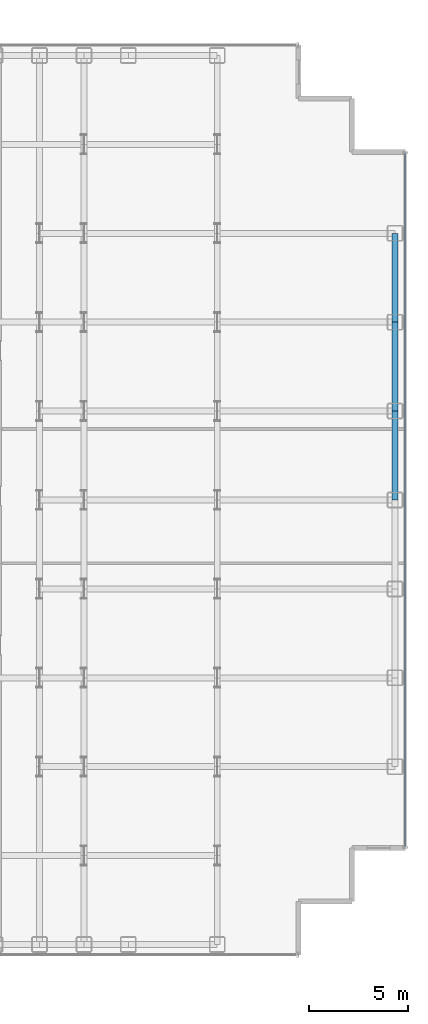
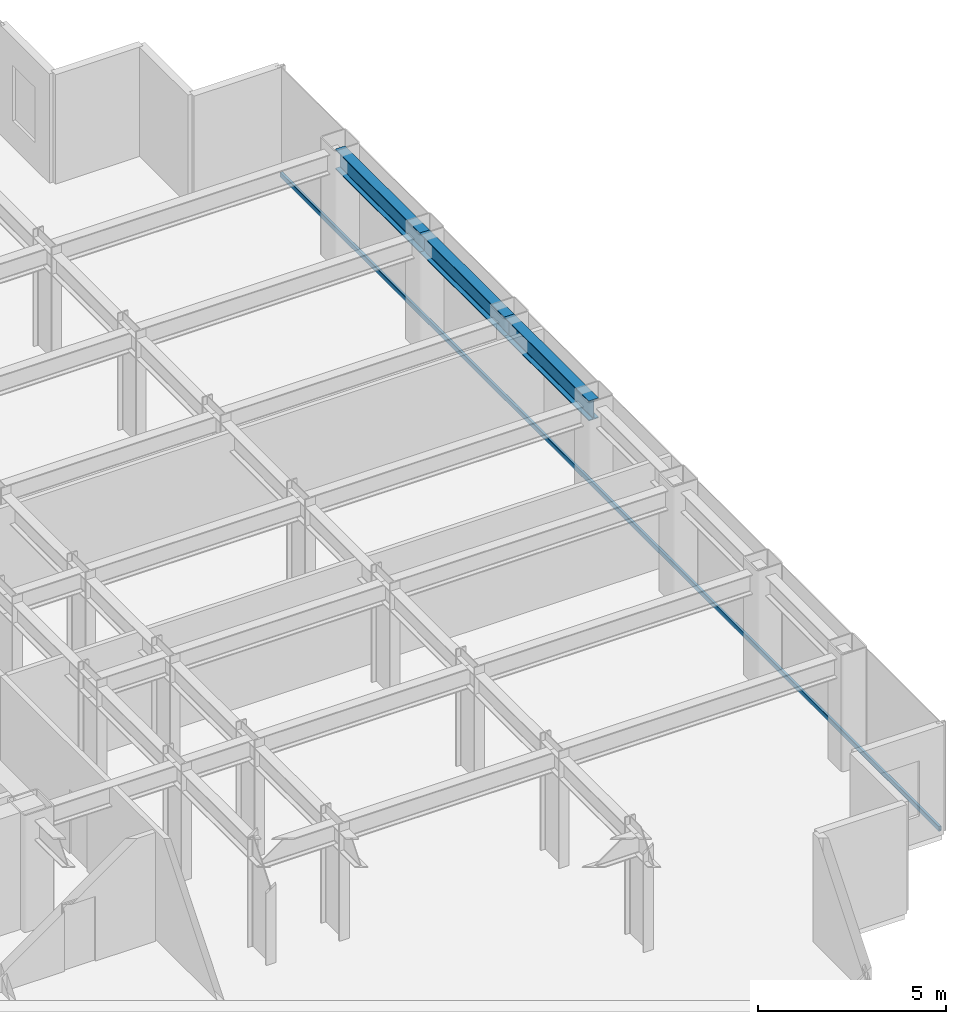
# One storey, part 17 of 25: 3 beams, 1 member, 1 element without a shape of its own.
"""IFC4 building model written with IfcOpenShell, lengths in metres."""

import ifcopenshell
import ifcopenshell.guid

model = None  # the IFC model being written
_history = None  # IfcOwnerHistory: only IFC2X3 demands one
_inside = {}  # id of a spatial element -> (the spatial element, [elements in it])
_under = {}  # id of a project, library or spatial element -> (it, [spatial elements below it])
_declared = {}  # id of a project -> (the project, [libraries it declares])
_typed = {}  # id of a type object -> (the type object, [elements of that type])
_made_of = {}  # id of a material, layer set ... -> (it, [elements and type objects made of it])


def new_model(schema):
    """Start an empty IFC model of exactly this schema.

    Asked for "IFC4X3", IfcOpenShell would pick the latest addendum, in which some entities
    have other attributes; the version numbers below select the first issue.
    IFC2X3 requires an IfcOwnerHistory on every rooted entity: one is made here for all.
    """
    global model, _history
    if schema == "IFC4X3":
        model = ifcopenshell.file(schema_version=(4, 3, 0, 0))
    else:
        model = ifcopenshell.file(schema=schema)
    _inside.clear()
    _under.clear()
    _declared.clear()
    _typed.clear()
    _made_of.clear()
    _history = None
    if model.schema == "IFC2X3":
        org = make("IfcOrganization", Name="unknown")
        user = make(
            "IfcPersonAndOrganization",
            ThePerson=make("IfcPerson", FamilyName="unknown"),
            TheOrganization=org,
        )
        app = make(
            "IfcApplication",
            ApplicationDeveloper=org,
            Version="unknown",
            ApplicationFullName="unknown",
            ApplicationIdentifier="unknown",
        )
        _history = make(
            "IfcOwnerHistory",
            OwningUser=user,
            OwningApplication=app,
            ChangeAction="ADDED",
            CreationDate=0,
        )
    return model


def make(cls, **values):
    """One entity of the class cls with the attributes given. An attribute that is None is left unset."""
    return model.create_entity(
        cls, **{name: value for name, value in values.items() if value is not None}
    )


def rooted(cls, **values):
    """An entity with a GlobalId (a new one), such as an element, a storey or a relation."""
    return make(cls, GlobalId=ifcopenshell.guid.new(), OwnerHistory=_history, **values)


def si_unit(unit_type, name, prefix=None):
    """IfcSIUnit, for example si_unit("LENGTHUNIT", "METRE", prefix="MILLI")."""
    return make("IfcSIUnit", UnitType=unit_type, Prefix=prefix, Name=name)


def assignment(units):
    """IfcUnitAssignment: the units of a project."""
    return None if units is None else make("IfcUnitAssignment", Units=units)


def point(xyz):
    """IfcCartesianPoint."""
    return None if xyz is None else make("IfcCartesianPoint", Coordinates=xyz)


def direction(xyz):
    """IfcDirection."""
    return None if xyz is None else make("IfcDirection", DirectionRatios=xyz)


def frame(location, z_axis=None, x_axis=None):
    """IfcAxis2Placement3D, a coordinate frame: its origin and axes. An axis left out is left unset."""
    return make(
        "IfcAxis2Placement3D",
        Location=point(location),
        Axis=direction(z_axis),
        RefDirection=direction(x_axis),
    )


def frame_2d(location, x_axis=None):
    """IfcAxis2Placement2D, a coordinate frame in the plane: its origin and x axis."""
    return make(
        "IfcAxis2Placement2D", Location=point(location), RefDirection=direction(x_axis)
    )


def origin():
    """The frame at (0, 0, 0) with its axes left unset."""
    return frame((0.0, 0.0, 0.0))


def origin_2d():
    """The frame at (0, 0) in the plane with its x axis left unset."""
    return frame_2d((0.0, 0.0))


def place(relative_to, where):
    """IfcLocalPlacement: puts the frame where relative to a parent placement (None: the world)."""
    return make(
        "IfcLocalPlacement", PlacementRelTo=relative_to, RelativePlacement=where
    )


def context(
    kind, dimensions, precision=None, world=None, true_north=None, identifier=None
):
    """IfcGeometricRepresentationContext, for example the 3D "Model" context."""
    return make(
        "IfcGeometricRepresentationContext",
        ContextIdentifier=identifier,
        ContextType=kind,
        CoordinateSpaceDimension=dimensions,
        Precision=precision,
        WorldCoordinateSystem=world,
        TrueNorth=true_north,
    )


def subcontext(parent, identifier, kind, view, scale=None):
    """IfcGeometricRepresentationSubContext, for example "Body" below "Model"."""
    return make(
        "IfcGeometricRepresentationSubContext",
        ContextIdentifier=identifier,
        ContextType=kind,
        ParentContext=parent,
        TargetScale=scale,
        TargetView=view,
    )


def project(units=None, contexts=None):
    """IfcProject with its units and contexts."""
    return rooted(
        "IfcProject",
        Name="project",
        RepresentationContexts=contexts,
        UnitsInContext=assignment(units),
    )


def spatial(cls, under=None, at=None, **own):
    """A site, building, storey or space (cls), placed at a placement, below another one or the project."""
    s = rooted(cls, ObjectPlacement=at, **own)
    if under is not None:
        _under.setdefault(under.id(), (under, []))[1].append(s)
    return s


def profile(cls, at=None, kind="AREA", **sizes):
    """A parametric profile (cls). Its sizes go by their IFC names, for example OverallWidth=200.0."""
    return make(cls, ProfileType=kind, Position=at, **sizes)


def hollow_rectangle(**sizes):
    """IfcRectangleHollowProfileDef."""
    return profile("IfcRectangleHollowProfileDef", **sizes)


def i_section(**sizes):
    """IfcIShapeProfileDef."""
    return profile("IfcIShapeProfileDef", **sizes)


def extrude(swept, where, along, depth):
    """IfcExtrudedAreaSolid: the profile swept, set in the frame where, extruded along a direction by depth."""
    return make(
        "IfcExtrudedAreaSolid",
        SweptArea=swept,
        Position=where,
        ExtrudedDirection=direction(along),
        Depth=depth,
    )


def shape(context_of_items, identifier, shape_type, items):
    """IfcShapeRepresentation: the items that make up one representation, for example the "Body"."""
    return make(
        "IfcShapeRepresentation",
        ContextOfItems=context_of_items,
        RepresentationIdentifier=identifier,
        RepresentationType=shape_type,
        Items=items,
    )


def source(mapping_origin, context_of_items, identifier, shape_type, items):
    """IfcRepresentationMap: a shape defined once, which mapped items show again and again."""
    return make(
        "IfcRepresentationMap",
        MappingOrigin=mapping_origin,
        MappedRepresentation=shape(context_of_items, identifier, shape_type, items),
    )


def transform(
    local_origin,
    x_axis=None,
    y_axis=None,
    z_axis=None,
    scale=None,
    scale2=None,
    scale3=None,
    uniform=True,
):
    """IfcCartesianTransformationOperator3D, or its non-uniform kind. x_axis, y_axis, z_axis: its Axis1, 2, 3."""
    if uniform:
        return make(
            "IfcCartesianTransformationOperator3D",
            Axis1=direction(x_axis),
            Axis2=direction(y_axis),
            LocalOrigin=point(local_origin),
            Scale=scale,
            Axis3=direction(z_axis),
        )
    return make(
        "IfcCartesianTransformationOperator3DnonUniform",
        Axis1=direction(x_axis),
        Axis2=direction(y_axis),
        LocalOrigin=point(local_origin),
        Scale=scale,
        Axis3=direction(z_axis),
        Scale2=scale2,
        Scale3=scale3,
    )


def mapped(mapping_source, mapping_target):
    """IfcMappedItem: shows the shape of a source again, moved by a transform."""
    return make(
        "IfcMappedItem", MappingSource=mapping_source, MappingTarget=mapping_target
    )


def material(Name=None, Category=None):
    """IfcMaterial."""
    return make("IfcMaterial", Name=Name, Category=Category)


def layer(
    of_material, thickness, ventilated=None, Name=None, Category=None, Priority=None
):
    """IfcMaterialLayer: one layer of a wall or slab, of a material (None: an air gap)."""
    return make(
        "IfcMaterialLayer",
        Material=of_material,
        LayerThickness=thickness,
        IsVentilated=ventilated,
        Name=Name,
        Category=Category,
        Priority=Priority,
    )


def layer_set(layers, Name=None):
    """IfcMaterialLayerSet."""
    return make("IfcMaterialLayerSet", MaterialLayers=layers, LayerSetName=Name)


def material_profile(
    of_material, cross_section, Name=None, Category=None, Priority=None
):
    """IfcMaterialProfile: a cross section and its material."""
    return make(
        "IfcMaterialProfile",
        Name=Name,
        Material=of_material,
        Profile=cross_section,
        Priority=Priority,
        Category=Category,
    )


def profile_set(profiles, Name=None, composite=None):
    """IfcMaterialProfileSet."""
    return make(
        "IfcMaterialProfileSet",
        Name=Name,
        MaterialProfiles=profiles,
        CompositeProfile=composite,
    )


def made_of(thing, what):
    """Note that an element or type object is made of a material, layer set ...; save() writes the relation."""
    if what is not None:
        _made_of.setdefault(what.id(), (what, []))[1].append(thing)
    return thing


def type_object(cls, material=None, **own):
    """A type object (cls), such as IfcWallType, which elements share."""
    return made_of(rooted(cls, **own), material)


def element(
    cls,
    number,
    at=None,
    inside=None,
    cuts=None,
    type_object=None,
    material=None,
    context=None,
    identifier="Body",
    shape_type=None,
    held_by="IfcProductDefinitionShape",
    body=None,
    shapes=None,
    **own,
):
    """One element of the class cls, such as IfcWall. Its Tag is "e" and its number.

    at: its placement. inside: the storey or other place that contains it. cuts: it is an
    opening in that element (IfcRelVoidsElement). A single representation is given by context,
    identifier, shape_type and body (its items); several are given by shapes. held_by: the class
    of the entity that holds the representations. save() writes the other relations.
    """
    e = rooted(cls, Tag="e%d" % number, ObjectPlacement=at, **own)
    if body is not None:
        shapes = [shape(context, identifier, shape_type, body)]
    if shapes is not None:
        e.Representation = make(held_by, Representations=shapes)
    if inside is not None:
        _inside.setdefault(inside.id(), (inside, []))[1].append(e)
    if cuts is not None:
        rooted(
            "IfcRelVoidsElement", RelatingBuildingElement=cuts, RelatedOpeningElement=e
        )
    if type_object is not None:
        _typed.setdefault(type_object.id(), (type_object, []))[1].append(e)
    return made_of(e, material)


def aggregate(whole, parts):
    """IfcRelAggregates: a whole, such as a stair, and the parts it consists of."""
    return rooted("IfcRelAggregates", RelatingObject=whole, RelatedObjects=parts)


def save(model, path):
    """Write the relations noted so far, then the file.

    IfcRelAggregates (storeys below a building ...), IfcRelContainedInSpatialStructure (elements
    in a storey), IfcRelDefinesByType, IfcRelAssociatesMaterial and IfcRelDeclares: one each for
    every whole, place, type object, material and project.
    """
    for whole, parts in _under.values():
        aggregate(whole, parts)
    for where, things in _inside.values():
        rooted(
            "IfcRelContainedInSpatialStructure",
            RelatedElements=things,
            RelatingStructure=where,
        )
    for kind, things in _typed.values():
        rooted("IfcRelDefinesByType", RelatedObjects=things, RelatingType=kind)
    for what, things in _made_of.values():
        rooted("IfcRelAssociatesMaterial", RelatedObjects=things, RelatingMaterial=what)
    for by, libraries in _declared.values():
        rooted("IfcRelDeclares", RelatingContext=by, RelatedDefinitions=libraries)
    model.write(path)


model = new_model("IFC4")

# Units and contexts
model_context = context("Model", 3, precision=1e-05, world=origin(), true_north=direction((0.0, 1.0)))
body_context = subcontext(model_context, "Body", "Model", "MODEL_VIEW")
ifc_project = project(units=[si_unit("LENGTHUNIT", "METRE"), si_unit("AREAUNIT", "SQUARE_METRE"), si_unit("VOLUMEUNIT", "CUBIC_METRE"), si_unit("PLANEANGLEUNIT", "RADIAN"), si_unit("MASSUNIT", "GRAM", prefix="KILO")], contexts=[model_context])

# Site, building, storey
site_placement = place(None, origin())
site = spatial("IfcSite", under=ifc_project, at=site_placement, CompositionType="ELEMENT")
building_placement = place(site_placement, origin())
building = spatial("IfcBuilding", under=site, at=building_placement, Name="Nefas-Gora Pilgrimage Tower", CompositionType="ELEMENT")
storey_placement = place(building_placement, frame((0.0, 0.0, 109.800048828125)))
storey = spatial("IfcBuildingStorey", under=building, at=storey_placement, Name="L26", CompositionType="ELEMENT", Elevation=109.800048828125)

# Beams
ifc_material_1 = material(Name="Steel S355", Category="steel")
ifc_material_profile_1 = material_profile(ifc_material_1, i_section(OverallWidth=0.300048828125, OverallDepth=0.64990234375, WebThickness=0.01611328125, FlangeThickness=0.031005859375, FilletRadius=0.027099609375, at=origin_2d()), Name="HEB 650")
ifc_profile_set_1 = profile_set([ifc_material_profile_1], Name="Steel S355")
beam_type = type_object("IfcBeamType", Name="BM-SPN-HEB500", PredefinedType="SPANDREL", material=ifc_profile_set_1)
shared_shape_1 = source(origin(), body_context, "Body", "SweptSolid", [
    extrude(i_section(OverallWidth=0.300048828125, OverallDepth=0.64990234375, WebThickness=0.01611328125, FlangeThickness=0.031005859375, FilletRadius=0.027099609375, at=origin_2d()), origin(), (0.0, 0.0, 1.0), 4.5),
])
for number, where, z_axis, x_axis, name in (
    (1, (33.75, 0.0, 3.224853515625), (0.0, 1.0, 0.0), (-1.0, 0.0, 0.0), "L26 SP-02 beam"),
    (2, (33.75, 4.5, 3.224853515625), (0.0, 1.0, 0.0), (-1.0, 0.0, 0.0), "L26 SP-02 beam"),
    (3, (33.75, 9.0, 3.224853515625), (0.0, 1.0, 0.0), (-1.0, 0.0, 0.0), "L26 SP-02 beam"),
):
    element("IfcBeam", number, at=place(storey_placement, frame(where, z_axis=z_axis, x_axis=x_axis)), inside=storey, type_object=beam_type, Name=name, PredefinedType="SPANDREL", context=body_context, shape_type="MappedRepresentation", body=[
        mapped(shared_shape_1, transform((0.0, 0.0, 0.0), x_axis=(1.0, 0.0, 0.0), y_axis=(0.0, 1.0, 0.0), z_axis=(0.0, 0.0, 1.0), scale=1.0)),
    ])

# Curtain wall, member
ifc_material_2 = material(Name="Dark ceramic-fritted solar-control aluminium-glass curtain wall", Category="aluminium")
ifc_layer = layer(ifc_material_2, 0.219970703125)
ifc_layer_set = layer_set([ifc_layer], Name="Dark ceramic-fritted solar-control aluminium-glass curtain wall")
curtain_wall_type = type_object("IfcCurtainWallType", Name="CW-SYS-2", PredefinedType="NOTDEFINED", material=ifc_layer_set)
curtain_wall_placement = place(storey_placement, origin())
curtain_wall = element("IfcCurtainWall", 4, at=curtain_wall_placement, inside=storey, type_object=curtain_wall_type, Name="L26 Unitised Curtain Wall CW2", PredefinedType="NOTDEFINED")
ifc_material_3 = material(Name="Anodised architectural aluminium", Category="aluminium")
ifc_material_profile_2 = material_profile(ifc_material_3, hollow_rectangle(XDim=0.080078125, YDim=0.159912109375, WallThickness=0.00439453125, InnerFilletRadius=0.00439453125, OuterFilletRadius=0.009033203125, at=origin_2d()), Name="ALU TRANSOM 80x160")
ifc_profile_set_2 = profile_set([ifc_material_profile_2], Name="Anodised architectural aluminium")
member_type = type_object("IfcMemberType", Name="CWM-TRN-2", PredefinedType="USERDEFINED", material=ifc_profile_set_2)
shared_shape_2 = source(origin(), body_context, "Body", "SweptSolid", [
    extrude(hollow_rectangle(XDim=0.080078125, YDim=0.159912109375, WallThickness=0.00439453125, InnerFilletRadius=0.00439453125, OuterFilletRadius=0.009033203125, at=origin_2d()), origin(), (0.0, 0.0, 1.0), 35.06005859375),
])
member_placement = place(storey_placement, frame((34.27001953125, -17.530029296875, 0.050048828125), z_axis=(0.0, 1.0, 0.0), x_axis=(-1.0, 0.0, 0.0)))
member = element("IfcMember", 5, at=member_placement, type_object=member_type, Name="CW2 Spandrel Transom", ObjectType="TRANSOM", PredefinedType="USERDEFINED", context=body_context, shape_type="MappedRepresentation", body=[
    mapped(shared_shape_2, transform((0.0, 0.0, 0.0), x_axis=(1.0, 0.0, 0.0), y_axis=(0.0, 1.0, 0.0), z_axis=(0.0, 0.0, 1.0), scale=1.0)),
])
aggregate(curtain_wall, [member])

save(model, "model.ifc")
